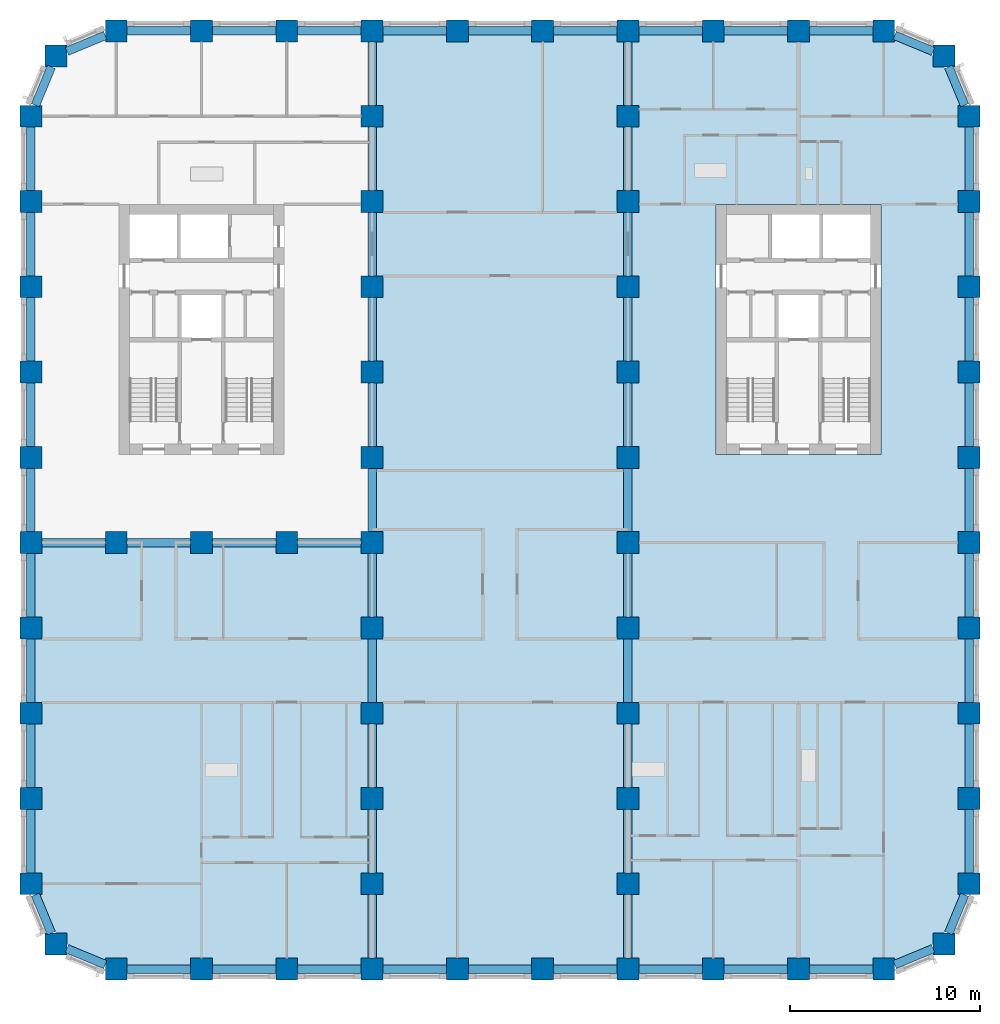
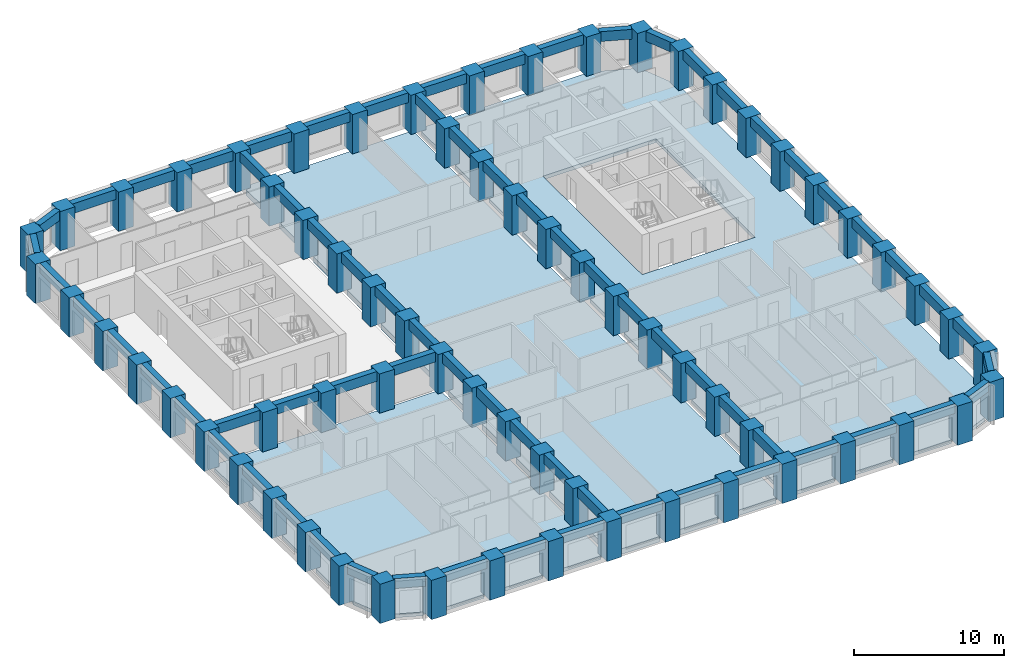
# One storey, part 1 of 12: 70 beams, 67 columns, 3 slabs.
"""IFC4 building model written with IfcOpenShell, lengths in metres."""

from ifc_helpers import new_model, si_unit, direction, frame, origin, origin_2d, place, context, subcontext, project, spatial, polyline, rectangle, outline, extrude, material, layer, layer_set, material_profile, profile_set, type_object, element, save


model = new_model("IFC4")

# Units and contexts
model_context = context("Model", 3, precision=1e-05, world=origin(), true_north=direction((0.0, 1.0)))
body_context = subcontext(model_context, "Body", "Model", "MODEL_VIEW")
ifc_project = project(units=[si_unit("LENGTHUNIT", "METRE"), si_unit("AREAUNIT", "SQUARE_METRE"), si_unit("VOLUMEUNIT", "CUBIC_METRE"), si_unit("PLANEANGLEUNIT", "RADIAN"), si_unit("MASSUNIT", "GRAM", prefix="KILO")], contexts=[model_context])

# Site, building, storey
site_placement = place(None, origin())
site = spatial("IfcSite", under=ifc_project, at=site_placement, CompositionType="ELEMENT")
building_placement = place(site_placement, origin())
building = spatial("IfcBuilding", under=site, at=building_placement, Name="Girih Gate Residences", CompositionType="ELEMENT")
storey_placement = place(building_placement, frame((0.0, 0.0, 112.0)))
storey = spatial("IfcBuildingStorey", under=building, at=storey_placement, Name="L31", CompositionType="ELEMENT", Elevation=112.0)

# Columns
ifc_material_1 = material(Name="Concrete C80/95", Category="concrete")
ifc_material_profile_1 = material_profile(ifc_material_1, rectangle(XDim=1.14990234375, YDim=1.14990234375, at=origin_2d()))
ifc_profile_set_1 = profile_set([ifc_material_profile_1], Name="Concrete C80/95")
column_type = type_object("IfcColumnType", Name="Pier RC 1150x1150 Concrete C80/95", PredefinedType="COLUMN", material=ifc_profile_set_1)
for number, where, z_axis, x_axis, name in (
    (1, (4.5, 0.0, 0.0), (0.0, 0.0, 1.0), (1.0, 0.0, 0.0), "Pier P2A L31"),
    (2, (9.0, 0.0, 0.0), (0.0, 0.0, 1.0), (1.0, 0.0, 0.0), "Pier P3A L31"),
    (3, (13.5, 0.0, 0.0), (0.0, 0.0, 1.0), (1.0, 0.0, 0.0), "Pier P4A L31"),
    (4, (18.0, 0.0, 0.0), (0.0, 0.0, 1.0), (1.0, 0.0, 0.0), "Pier P5A L31"),
    (5, (22.5, 0.0, 0.0), (0.0, 0.0, 1.0), (1.0, 0.0, 0.0), "Pier P6A L31"),
    (6, (27.0, 0.0, 0.0), (0.0, 0.0, 1.0), (1.0, 0.0, 0.0), "Pier P7A L31"),
    (7, (31.5, 0.0, 0.0), (0.0, 0.0, 1.0), (1.0, 0.0, 0.0), "Pier P8A L31"),
    (8, (36.0, 0.0, 0.0), (0.0, 0.0, 1.0), (1.0, 0.0, 0.0), "Pier P9A L31"),
    (9, (40.5, 0.0, 0.0), (0.0, 0.0, 1.0), (1.0, 0.0, 0.0), "Pier P10A L31"),
    (10, (45.0, 0.0, 0.0), (0.0, 0.0, 1.0), (1.0, 0.0, 0.0), "Pier P11A L31"),
    (11, (1.318115234375, 1.318115234375, 0.0), (0.0, 0.0, 1.0), (1.0, 0.0, 0.0), "Pier P1ANE L31"),
    (12, (48.181884765625, 1.318115234375, 0.0), (0.0, 0.0, 1.0), (1.0, 0.0, 0.0), "Pier P12ANW L31"),
    (13, (0.0, 4.5, 0.0), (0.0, 0.0, 1.0), (1.0, 0.0, 0.0), "Pier P1B L31"),
    (14, (18.0, 4.5, 0.0), (0.0, 0.0, 1.0), (1.0, 0.0, 0.0), "Pier P5B L31"),
    (15, (31.5, 4.5, 0.0), (0.0, 0.0, 1.0), (1.0, 0.0, 0.0), "Pier P8B L31"),
    (16, (49.5, 4.5, 0.0), (0.0, 0.0, 1.0), (1.0, 0.0, 0.0), "Pier P12B L31"),
    (17, (0.0, 9.0, 0.0), (0.0, 0.0, 1.0), (1.0, 0.0, 0.0), "Pier P1C L31"),
    (18, (18.0, 9.0, 0.0), (0.0, 0.0, 1.0), (1.0, 0.0, 0.0), "Pier P5C L31"),
    (19, (31.5, 9.0, 0.0), (0.0, 0.0, 1.0), (1.0, 0.0, 0.0), "Pier P8C L31"),
    (20, (49.5, 9.0, 0.0), (0.0, 0.0, 1.0), (1.0, 0.0, 0.0), "Pier P12C L31"),
    (21, (0.0, 13.5, 0.0), (0.0, 0.0, 1.0), (1.0, 0.0, 0.0), "Pier P1D L31"),
    (22, (18.0, 13.5, 0.0), (0.0, 0.0, 1.0), (1.0, 0.0, 0.0), "Pier P5D L31"),
    (23, (31.5, 13.5, 0.0), (0.0, 0.0, 1.0), (1.0, 0.0, 0.0), "Pier P8D L31"),
    (24, (49.5, 13.5, 0.0), (0.0, 0.0, 1.0), (1.0, 0.0, 0.0), "Pier P12D L31"),
    (25, (0.0, 18.0, 0.0), (0.0, 0.0, 1.0), (1.0, 0.0, 0.0), "Pier P1E L31"),
    (26, (18.0, 18.0, 0.0), (0.0, 0.0, 1.0), (1.0, 0.0, 0.0), "Pier P5E L31"),
    (27, (31.5, 18.0, 0.0), (0.0, 0.0, 1.0), (1.0, 0.0, 0.0), "Pier P8E L31"),
    (28, (49.5, 18.0, 0.0), (0.0, 0.0, 1.0), (1.0, 0.0, 0.0), "Pier P12E L31"),
    (29, (0.0, 22.5, 0.0), (0.0, 0.0, 1.0), (1.0, 0.0, 0.0), "Pier P1F L31"),
    (30, (4.5, 22.5, 0.0), (0.0, 0.0, 1.0), (1.0, 0.0, 0.0), "Pier P2F L31"),
    (31, (9.0, 22.5, 0.0), (0.0, 0.0, 1.0), (1.0, 0.0, 0.0), "Pier P3F L31"),
    (32, (13.5, 22.5, 0.0), (0.0, 0.0, 1.0), (1.0, 0.0, 0.0), "Pier P4F L31"),
    (33, (18.0, 22.5, 0.0), (0.0, 0.0, 1.0), (1.0, 0.0, 0.0), "Pier P5F L31"),
    (34, (31.5, 22.5, 0.0), (0.0, 0.0, 1.0), (1.0, 0.0, 0.0), "Pier P8F L31"),
    (35, (49.5, 22.5, 0.0), (0.0, 0.0, 1.0), (1.0, 0.0, 0.0), "Pier P12F L31"),
    (36, (0.0, 27.0, 0.0), (0.0, 0.0, 1.0), (1.0, 0.0, 0.0), "Pier P1G L31"),
    (37, (18.0, 27.0, 0.0), (0.0, 0.0, 1.0), (1.0, 0.0, 0.0), "Pier P5G L31"),
    (38, (31.5, 27.0, 0.0), (0.0, 0.0, 1.0), (1.0, 0.0, 0.0), "Pier P8G L31"),
    (39, (49.5, 27.0, 0.0), (0.0, 0.0, 1.0), (1.0, 0.0, 0.0), "Pier P12G L31"),
    (40, (0.0, 31.5, 0.0), (0.0, 0.0, 1.0), (1.0, 0.0, 0.0), "Pier P1H L31"),
    (41, (18.0, 31.5, 0.0), (0.0, 0.0, 1.0), (1.0, 0.0, 0.0), "Pier P5H L31"),
    (42, (31.5, 31.5, 0.0), (0.0, 0.0, 1.0), (1.0, 0.0, 0.0), "Pier P8H L31"),
    (43, (49.5, 31.5, 0.0), (0.0, 0.0, 1.0), (1.0, 0.0, 0.0), "Pier P12H L31"),
    (44, (0.0, 36.0, 0.0), (0.0, 0.0, 1.0), (1.0, 0.0, 0.0), "Pier P1I L31"),
    (45, (18.0, 36.0, 0.0), (0.0, 0.0, 1.0), (1.0, 0.0, 0.0), "Pier P5I L31"),
    (46, (31.5, 36.0, 0.0), (0.0, 0.0, 1.0), (1.0, 0.0, 0.0), "Pier P8I L31"),
    (47, (49.5, 36.0, 0.0), (0.0, 0.0, 1.0), (1.0, 0.0, 0.0), "Pier P12I L31"),
    (48, (0.0, 40.5, 0.0), (0.0, 0.0, 1.0), (1.0, 0.0, 0.0), "Pier P1J L31"),
    (49, (18.0, 40.5, 0.0), (0.0, 0.0, 1.0), (1.0, 0.0, 0.0), "Pier P5J L31"),
    (50, (31.5, 40.5, 0.0), (0.0, 0.0, 1.0), (1.0, 0.0, 0.0), "Pier P8J L31"),
    (51, (49.5, 40.5, 0.0), (0.0, 0.0, 1.0), (1.0, 0.0, 0.0), "Pier P12J L31"),
    (52, (0.0, 45.0, 0.0), (0.0, 0.0, 1.0), (1.0, 0.0, 0.0), "Pier P1K L31"),
    (53, (18.0, 45.0, 0.0), (0.0, 0.0, 1.0), (1.0, 0.0, 0.0), "Pier P5K L31"),
    (54, (31.5, 45.0, 0.0), (0.0, 0.0, 1.0), (1.0, 0.0, 0.0), "Pier P8K L31"),
    (55, (49.5, 45.0, 0.0), (0.0, 0.0, 1.0), (1.0, 0.0, 0.0), "Pier P12K L31"),
    (56, (1.318115234375, 48.181884765625, 0.0), (0.0, 0.0, 1.0), (1.0, 0.0, 0.0), "Pier P1LSE L31"),
    (57, (48.181884765625, 48.181884765625, 0.0), (0.0, 0.0, 1.0), (1.0, 0.0, 0.0), "Pier P12LSW L31"),
    (58, (4.5, 49.5, 0.0), (0.0, 0.0, 1.0), (1.0, 0.0, 0.0), "Pier P2L L31"),
    (59, (9.0, 49.5, 0.0), (0.0, 0.0, 1.0), (1.0, 0.0, 0.0), "Pier P3L L31"),
    (60, (13.5, 49.5, 0.0), (0.0, 0.0, 1.0), (1.0, 0.0, 0.0), "Pier P4L L31"),
    (61, (18.0, 49.5, 0.0), (0.0, 0.0, 1.0), (1.0, 0.0, 0.0), "Pier P5L L31"),
    (62, (22.5, 49.5, 0.0), (0.0, 0.0, 1.0), (1.0, 0.0, 0.0), "Pier P6L L31"),
    (63, (27.0, 49.5, 0.0), (0.0, 0.0, 1.0), (1.0, 0.0, 0.0), "Pier P7L L31"),
    (64, (31.5, 49.5, 0.0), (0.0, 0.0, 1.0), (1.0, 0.0, 0.0), "Pier P8L L31"),
    (65, (36.0, 49.5, 0.0), (0.0, 0.0, 1.0), (1.0, 0.0, 0.0), "Pier P9L L31"),
    (66, (40.5, 49.5, 0.0), (0.0, 0.0, 1.0), (1.0, 0.0, 0.0), "Pier P10L L31"),
    (67, (45.0, 49.5, 0.0), (0.0, 0.0, 1.0), (1.0, 0.0, 0.0), "Pier P11L L31"),
):
    element("IfcColumn", number, at=place(storey_placement, frame(where, z_axis=z_axis, x_axis=x_axis)), inside=storey, type_object=column_type, Name=name, PredefinedType="COLUMN", context=body_context, shape_type="SweptSolid", body=[
        extrude(rectangle(XDim=1.14990234375, YDim=1.14990234375, at=origin_2d()), origin(), (0.0, 0.0, 1.0), 3.199951171875),
    ])

# Beams
ifc_material_2 = material(Name="Concrete C60/75", Category="concrete")
ifc_material_profile_2 = material_profile(ifc_material_2, rectangle(XDim=0.449951171875, YDim=0.800048828125, at=origin_2d()))
ifc_profile_set_2 = profile_set([ifc_material_profile_2], Name="Concrete C60/75")
beam_type = type_object("IfcBeamType", Name="Spandrel girder RC 450x800 Concrete C60/75", PredefinedType="BEAM", material=ifc_profile_set_2)
for number, where, z_axis, x_axis, name in (
    (68, (0.23828125, 3.925048828125, 2.800048828125), (0.382636106589, -0.92389913407, 0.0), (0.92389913407, 0.382636106589, 0.0), "Spandrel girder SP-P1B-P1ANE L31"),
    (69, (1.89306640625, 1.079833984375, 2.800048828125), (0.92389913407, -0.382636106589, 0.0), (0.382636106589, 0.92389913407, 0.0), "Spandrel girder SP-P1ANE-P2A L31"),
):
    element("IfcBeam", number, at=place(storey_placement, frame(where, z_axis=z_axis, x_axis=x_axis)), inside=storey, type_object=beam_type, Name=name, PredefinedType="BEAM", context=body_context, shape_type="SweptSolid", body=[
        extrude(rectangle(XDim=0.449951171875, YDim=0.800048828125, at=origin_2d()), origin(), (0.0, 0.0, 1.0), 2.199462890625),
    ])
for number, where, z_axis, x_axis, name in (
    (70, (5.074951171875, 0.0, 2.800048828125), (1.0, 0.0, 0.0), (0.0, 1.0, 0.0), "Spandrel girder SP-P2A-P3A L31"),
    (71, (9.574951171875, 0.0, 2.800048828125), (1.0, 0.0, 0.0), (0.0, 1.0, 0.0), "Spandrel girder SP-P3A-P4A L31"),
    (72, (14.074951171875, 0.0, 2.800048828125), (1.0, 0.0, 0.0), (0.0, 1.0, 0.0), "Spandrel girder SP-P4A-P5A L31"),
    (73, (18.574951171875, 0.0, 2.800048828125), (1.0, 0.0, 0.0), (0.0, 1.0, 0.0), "Spandrel girder SP-P5A-P6A L31"),
    (74, (23.074951171875, 0.0, 2.800048828125), (1.0, 0.0, 0.0), (0.0, 1.0, 0.0), "Spandrel girder SP-P6A-P7A L31"),
    (75, (27.574951171875, 0.0, 2.800048828125), (1.0, 0.0, 0.0), (0.0, 1.0, 0.0), "Spandrel girder SP-P7A-P8A L31"),
    (76, (32.074951171875, 0.0, 2.800048828125), (1.0, 0.0, 0.0), (0.0, 1.0, 0.0), "Spandrel girder SP-P8A-P9A L31"),
    (77, (36.574951171875, 0.0, 2.800048828125), (1.0, 0.0, 0.0), (0.0, 1.0, 0.0), "Spandrel girder SP-P9A-P10A L31"),
    (78, (41.074951171875, 0.0, 2.800048828125), (1.0, 0.0, 0.0), (0.0, 1.0, 0.0), "Spandrel girder SP-P10A-P11A L31"),
):
    element("IfcBeam", number, at=place(storey_placement, frame(where, z_axis=z_axis, x_axis=x_axis)), inside=storey, type_object=beam_type, Name=name, PredefinedType="BEAM", context=body_context, shape_type="SweptSolid", body=[
        extrude(rectangle(XDim=0.449951171875, YDim=0.800048828125, at=origin_2d()), origin(), (0.0, 0.0, 1.0), 3.35009765625),
    ])
for number, where, z_axis, x_axis, name in (
    (79, (45.574951171875, 0.23828125, 2.800048828125), (0.92389913407, 0.382636106589, 0.0), (-0.382636106589, 0.92389913407, 0.0), "Spandrel girder SP-P11A-P12ANW L31"),
    (80, (48.420166015625, 1.89306640625, 2.800048828125), (0.382636106589, 0.92389913407, 0.0), (-0.92389913407, 0.382636106589, 0.0), "Spandrel girder SP-P12ANW-P12B L31"),
):
    element("IfcBeam", number, at=place(storey_placement, frame(where, z_axis=z_axis, x_axis=x_axis)), inside=storey, type_object=beam_type, Name=name, PredefinedType="BEAM", context=body_context, shape_type="SweptSolid", body=[
        extrude(rectangle(XDim=0.449951171875, YDim=0.800048828125, at=origin_2d()), origin(), (0.0, 0.0, 1.0), 2.199462890625),
    ])
for number, where, z_axis, x_axis, name in (
    (81, (49.5, 5.074951171875, 2.800048828125), (0.0, 1.0, 0.0), (-1.0, 0.0, 0.0), "Spandrel girder SP-P12B-P12C L31"),
    (82, (49.5, 9.574951171875, 2.800048828125), (0.0, 1.0, 0.0), (-1.0, 0.0, 0.0), "Spandrel girder SP-P12C-P12D L31"),
    (83, (49.5, 14.074951171875, 2.800048828125), (0.0, 1.0, 0.0), (-1.0, 0.0, 0.0), "Spandrel girder SP-P12D-P12E L31"),
    (84, (49.5, 18.574951171875, 2.800048828125), (0.0, 1.0, 0.0), (-1.0, 0.0, 0.0), "Spandrel girder SP-P12E-P12F L31"),
    (85, (49.5, 23.074951171875, 2.800048828125), (0.0, 1.0, 0.0), (-1.0, 0.0, 0.0), "Spandrel girder SP-P12F-P12G L31"),
    (86, (49.5, 27.574951171875, 2.800048828125), (0.0, 1.0, 0.0), (-1.0, 0.0, 0.0), "Spandrel girder SP-P12G-P12H L31"),
    (87, (49.5, 32.074951171875, 2.800048828125), (0.0, 1.0, 0.0), (-1.0, 0.0, 0.0), "Spandrel girder SP-P12H-P12I L31"),
    (88, (49.5, 36.574951171875, 2.800048828125), (0.0, 1.0, 0.0), (-1.0, 0.0, 0.0), "Spandrel girder SP-P12I-P12J L31"),
    (89, (49.5, 41.074951171875, 2.800048828125), (0.0, 1.0, 0.0), (-1.0, 0.0, 0.0), "Spandrel girder SP-P12J-P12K L31"),
):
    element("IfcBeam", number, at=place(storey_placement, frame(where, z_axis=z_axis, x_axis=x_axis)), inside=storey, type_object=beam_type, Name=name, PredefinedType="BEAM", context=body_context, shape_type="SweptSolid", body=[
        extrude(rectangle(XDim=0.449951171875, YDim=0.800048828125, at=origin_2d()), origin(), (0.0, 0.0, 1.0), 3.35009765625),
    ])
for number, where, z_axis, x_axis, name in (
    (90, (49.26171875, 45.574951171875, 2.800048828125), (-0.382636106589, 0.92389913407, 0.0), (-0.92389913407, -0.382636106589, 0.0), "Spandrel girder SP-P12K-P12LSW L31"),
    (91, (47.60693359375, 48.420166015625, 2.800048828125), (-0.92389913407, 0.382636106589, 0.0), (-0.382636106589, -0.92389913407, 0.0), "Spandrel girder SP-P12LSW-P11L L31"),
):
    element("IfcBeam", number, at=place(storey_placement, frame(where, z_axis=z_axis, x_axis=x_axis)), inside=storey, type_object=beam_type, Name=name, PredefinedType="BEAM", context=body_context, shape_type="SweptSolid", body=[
        extrude(rectangle(XDim=0.449951171875, YDim=0.800048828125, at=origin_2d()), origin(), (0.0, 0.0, 1.0), 2.199462890625),
    ])
for number, where, z_axis, x_axis, name in (
    (92, (44.425048828125, 49.5, 2.800048828125), (-1.0, 0.0, 0.0), (0.0, -1.0, 0.0), "Spandrel girder SP-P11L-P10L L31"),
    (93, (39.925048828125, 49.5, 2.800048828125), (-1.0, 0.0, 0.0), (0.0, -1.0, 0.0), "Spandrel girder SP-P10L-P9L L31"),
    (94, (35.425048828125, 49.5, 2.800048828125), (-1.0, 0.0, 0.0), (0.0, -1.0, 0.0), "Spandrel girder SP-P9L-P8L L31"),
    (95, (30.925048828125, 49.5, 2.800048828125), (-1.0, 0.0, 0.0), (0.0, -1.0, 0.0), "Spandrel girder SP-P8L-P7L L31"),
    (96, (26.425048828125, 49.5, 2.800048828125), (-1.0, 0.0, 0.0), (0.0, -1.0, 0.0), "Spandrel girder SP-P7L-P6L L31"),
    (97, (21.925048828125, 49.5, 2.800048828125), (-1.0, 0.0, 0.0), (0.0, -1.0, 0.0), "Spandrel girder SP-P6L-P5L L31"),
    (98, (17.425048828125, 49.5, 2.800048828125), (-1.0, 0.0, 0.0), (0.0, -1.0, 0.0), "Spandrel girder SP-P5L-P4L L31"),
    (99, (12.925048828125, 49.5, 2.800048828125), (-1.0, 0.0, 0.0), (0.0, -1.0, 0.0), "Spandrel girder SP-P4L-P3L L31"),
    (100, (8.425048828125, 49.5, 2.800048828125), (-1.0, 0.0, 0.0), (0.0, -1.0, 0.0), "Spandrel girder SP-P3L-P2L L31"),
):
    element("IfcBeam", number, at=place(storey_placement, frame(where, z_axis=z_axis, x_axis=x_axis)), inside=storey, type_object=beam_type, Name=name, PredefinedType="BEAM", context=body_context, shape_type="SweptSolid", body=[
        extrude(rectangle(XDim=0.449951171875, YDim=0.800048828125, at=origin_2d()), origin(), (0.0, 0.0, 1.0), 3.35009765625),
    ])
for number, where, z_axis, x_axis, name in (
    (101, (3.925048828125, 49.26171875, 2.800048828125), (-0.92389913407, -0.382636106589, 0.0), (0.382636106589, -0.92389913407, 0.0), "Spandrel girder SP-P2L-P1LSE L31"),
    (102, (1.079833984375, 47.60693359375, 2.800048828125), (-0.382636106589, -0.92389913407, 0.0), (0.92389913407, -0.382636106589, 0.0), "Spandrel girder SP-P1LSE-P1K L31"),
):
    element("IfcBeam", number, at=place(storey_placement, frame(where, z_axis=z_axis, x_axis=x_axis)), inside=storey, type_object=beam_type, Name=name, PredefinedType="BEAM", context=body_context, shape_type="SweptSolid", body=[
        extrude(rectangle(XDim=0.449951171875, YDim=0.800048828125, at=origin_2d()), origin(), (0.0, 0.0, 1.0), 2.199462890625),
    ])
for number, where, z_axis, x_axis, name in (
    (103, (0.0, 44.425048828125, 2.800048828125), (0.0, -1.0, 0.0), (1.0, 0.0, 0.0), "Spandrel girder SP-P1K-P1J L31"),
    (104, (0.0, 39.925048828125, 2.800048828125), (0.0, -1.0, 0.0), (1.0, 0.0, 0.0), "Spandrel girder SP-P1J-P1I L31"),
    (105, (0.0, 35.425048828125, 2.800048828125), (0.0, -1.0, 0.0), (1.0, 0.0, 0.0), "Spandrel girder SP-P1I-P1H L31"),
    (106, (0.0, 30.925048828125, 2.800048828125), (0.0, -1.0, 0.0), (1.0, 0.0, 0.0), "Spandrel girder SP-P1H-P1G L31"),
    (107, (0.0, 26.425048828125, 2.800048828125), (0.0, -1.0, 0.0), (1.0, 0.0, 0.0), "Spandrel girder SP-P1G-P1F L31"),
    (108, (0.0, 21.925048828125, 2.800048828125), (0.0, -1.0, 0.0), (1.0, 0.0, 0.0), "Spandrel girder SP-P1F-P1E L31"),
    (109, (0.0, 17.425048828125, 2.800048828125), (0.0, -1.0, 0.0), (1.0, 0.0, 0.0), "Spandrel girder SP-P1E-P1D L31"),
    (110, (0.0, 12.925048828125, 2.800048828125), (0.0, -1.0, 0.0), (1.0, 0.0, 0.0), "Spandrel girder SP-P1D-P1C L31"),
    (111, (0.0, 8.425048828125, 2.800048828125), (0.0, -1.0, 0.0), (1.0, 0.0, 0.0), "Spandrel girder SP-P1C-P1B L31"),
    (112, (18.0, 0.574951171875, 2.800048828125), (0.0, 1.0, 0.0), (-1.0, 0.0, 0.0), "Spandrel girder SP-P5A-P5B L31"),
    (113, (18.0, 5.074951171875, 2.800048828125), (0.0, 1.0, 0.0), (-1.0, 0.0, 0.0), "Spandrel girder SP-P5B-P5C L31"),
    (114, (18.0, 9.574951171875, 2.800048828125), (0.0, 1.0, 0.0), (-1.0, 0.0, 0.0), "Spandrel girder SP-P5C-P5D L31"),
    (115, (18.0, 14.074951171875, 2.800048828125), (0.0, 1.0, 0.0), (-1.0, 0.0, 0.0), "Spandrel girder SP-P5D-P5E L31"),
    (116, (18.0, 18.574951171875, 2.800048828125), (0.0, 1.0, 0.0), (-1.0, 0.0, 0.0), "Spandrel girder SP-P5E-P5F L31"),
    (117, (18.0, 23.074951171875, 2.800048828125), (0.0, 1.0, 0.0), (-1.0, 0.0, 0.0), "Spandrel girder SP-P5F-P5G L31"),
    (118, (18.0, 27.574951171875, 2.800048828125), (0.0, 1.0, 0.0), (-1.0, 0.0, 0.0), "Spandrel girder SP-P5G-P5H L31"),
    (119, (18.0, 32.074951171875, 2.800048828125), (0.0, 1.0, 0.0), (-1.0, 0.0, 0.0), "Spandrel girder SP-P5H-P5I L31"),
    (120, (18.0, 36.574951171875, 2.800048828125), (0.0, 1.0, 0.0), (-1.0, 0.0, 0.0), "Spandrel girder SP-P5I-P5J L31"),
    (121, (18.0, 41.074951171875, 2.800048828125), (0.0, 1.0, 0.0), (-1.0, 0.0, 0.0), "Spandrel girder SP-P5J-P5K L31"),
    (122, (18.0, 45.574951171875, 2.800048828125), (0.0, 1.0, 0.0), (-1.0, 0.0, 0.0), "Spandrel girder SP-P5K-P5L L31"),
    (123, (31.5, 0.574951171875, 2.800048828125), (0.0, 1.0, 0.0), (-1.0, 0.0, 0.0), "Spandrel girder SP-P8A-P8B L31"),
    (124, (31.5, 5.074951171875, 2.800048828125), (0.0, 1.0, 0.0), (-1.0, 0.0, 0.0), "Spandrel girder SP-P8B-P8C L31"),
    (125, (31.5, 9.574951171875, 2.800048828125), (0.0, 1.0, 0.0), (-1.0, 0.0, 0.0), "Spandrel girder SP-P8C-P8D L31"),
    (126, (31.5, 14.074951171875, 2.800048828125), (0.0, 1.0, 0.0), (-1.0, 0.0, 0.0), "Spandrel girder SP-P8D-P8E L31"),
    (127, (31.5, 18.574951171875, 2.800048828125), (0.0, 1.0, 0.0), (-1.0, 0.0, 0.0), "Spandrel girder SP-P8E-P8F L31"),
    (128, (31.5, 23.074951171875, 2.800048828125), (0.0, 1.0, 0.0), (-1.0, 0.0, 0.0), "Spandrel girder SP-P8F-P8G L31"),
    (129, (31.5, 27.574951171875, 2.800048828125), (0.0, 1.0, 0.0), (-1.0, 0.0, 0.0), "Spandrel girder SP-P8G-P8H L31"),
    (130, (31.5, 32.074951171875, 2.800048828125), (0.0, 1.0, 0.0), (-1.0, 0.0, 0.0), "Spandrel girder SP-P8H-P8I L31"),
    (131, (31.5, 36.574951171875, 2.800048828125), (0.0, 1.0, 0.0), (-1.0, 0.0, 0.0), "Spandrel girder SP-P8I-P8J L31"),
    (132, (31.5, 41.074951171875, 2.800048828125), (0.0, 1.0, 0.0), (-1.0, 0.0, 0.0), "Spandrel girder SP-P8J-P8K L31"),
    (133, (31.5, 45.574951171875, 2.800048828125), (0.0, 1.0, 0.0), (-1.0, 0.0, 0.0), "Spandrel girder SP-P8K-P8L L31"),
    (134, (0.574951171875, 22.5, 2.800048828125), (1.0, 0.0, 0.0), (0.0, 1.0, 0.0), "Spandrel girder SP-P1F-P2F L31"),
    (135, (5.074951171875, 22.5, 2.800048828125), (1.0, 0.0, 0.0), (0.0, 1.0, 0.0), "Spandrel girder SP-P2F-P3F L31"),
    (136, (9.574951171875, 22.5, 2.800048828125), (1.0, 0.0, 0.0), (0.0, 1.0, 0.0), "Spandrel girder SP-P3F-P4F L31"),
    (137, (14.074951171875, 22.5, 2.800048828125), (1.0, 0.0, 0.0), (0.0, 1.0, 0.0), "Spandrel girder SP-P4F-P5F L31"),
):
    element("IfcBeam", number, at=place(storey_placement, frame(where, z_axis=z_axis, x_axis=x_axis)), inside=storey, type_object=beam_type, Name=name, PredefinedType="BEAM", context=body_context, shape_type="SweptSolid", body=[
        extrude(rectangle(XDim=0.449951171875, YDim=0.800048828125, at=origin_2d()), origin(), (0.0, 0.0, 1.0), 3.35009765625),
    ])

# Slabs
ifc_material_3 = material(Name="Concrete C40/50", Category="concrete")
ifc_layer_1 = layer(ifc_material_3, 0.300048828125)
ifc_layer_set_1 = layer_set([ifc_layer_1], Name="Floor slab PT 300 Concrete C40/50")
slab_type_1 = type_object("IfcSlabType", Name="Floor slab PT 300 Concrete C40/50", PredefinedType="FLOOR", material=ifc_layer_set_1)
slab_1_placement = place(storey_placement, frame((0.0, 0.0, -0.300048828125)))
element("IfcSlab", 138, at=slab_1_placement, inside=storey, type_object=slab_type_1, Name="Floor slab L31 0", PredefinedType="FLOOR", context=body_context, shape_type="SweptSolid", body=[
    extrude(outline(polyline([(0.22509765625, 8.425048828125), (0.22509765625, 5.074951171875), (0.574951171875, 5.074951171875), (0.574951171875, 3.925048828125), (0.481689453125, 3.925048828125), (1.323486328125, 1.89306640625), (1.89306640625, 1.89306640625), (1.89306640625, 1.323486328125), (3.925048828125, 0.481689453125), (3.925048828125, 0.574951171875), (5.074951171875, 0.574951171875), (5.074951171875, 0.22509765625), (8.425048828125, 0.22509765625), (8.425048828125, 0.574951171875), (9.574951171875, 0.574951171875), (9.574951171875, 0.22509765625), (12.925048828125, 0.22509765625), (12.925048828125, 0.574951171875), (14.074951171875, 0.574951171875), (14.074951171875, 0.22509765625), (17.425048828125, 0.22509765625), (17.425048828125, 0.574951171875), (17.77490234375, 0.574951171875), (17.77490234375, 3.925048828125), (17.425048828125, 3.925048828125), (17.425048828125, 5.074951171875), (17.77490234375, 5.074951171875), (17.77490234375, 8.425048828125), (17.425048828125, 8.425048828125), (17.425048828125, 9.574951171875), (17.77490234375, 9.574951171875), (17.77490234375, 12.925048828125), (17.425048828125, 12.925048828125), (17.425048828125, 14.074951171875), (17.77490234375, 14.074951171875), (17.77490234375, 17.425048828125), (17.425048828125, 17.425048828125), (17.425048828125, 18.574951171875), (17.77490234375, 18.574951171875), (17.77490234375, 21.925048828125), (17.425048828125, 21.925048828125), (17.425048828125, 22.27490234375), (14.074951171875, 22.27490234375), (14.074951171875, 21.925048828125), (12.925048828125, 21.925048828125), (12.925048828125, 22.27490234375), (9.574951171875, 22.27490234375), (9.574951171875, 21.925048828125), (8.425048828125, 21.925048828125), (8.425048828125, 22.27490234375), (5.074951171875, 22.27490234375), (5.074951171875, 21.925048828125), (3.925048828125, 21.925048828125), (3.925048828125, 22.27490234375), (0.574951171875, 22.27490234375), (0.574951171875, 21.925048828125), (0.22509765625, 21.925048828125), (0.22509765625, 18.574951171875), (0.574951171875, 18.574951171875), (0.574951171875, 17.425048828125), (0.22509765625, 17.425048828125), (0.22509765625, 14.074951171875), (0.574951171875, 14.074951171875), (0.574951171875, 12.925048828125), (0.22509765625, 12.925048828125), (0.22509765625, 9.574951171875), (0.574951171875, 9.574951171875), (0.574951171875, 8.425048828125), (0.22509765625, 8.425048828125)])), origin(), (0.0, 0.0, 1.0), 0.300048828125),
])
slab_2_placement = place(storey_placement, frame((0.0, 0.0, -0.300048828125)))
element("IfcSlab", 139, at=slab_2_placement, inside=storey, type_object=slab_type_1, Name="Floor slab L31 1", PredefinedType="FLOOR", context=body_context, shape_type="SweptSolid", body=[
    extrude(outline(polyline([(35.425048828125, 49.27490234375), (32.074951171875, 49.27490234375), (32.074951171875, 48.925048828125), (31.72509765625, 48.925048828125), (31.72509765625, 45.574951171875), (32.074951171875, 45.574951171875), (32.074951171875, 44.425048828125), (31.72509765625, 44.425048828125), (31.72509765625, 41.074951171875), (32.074951171875, 41.074951171875), (32.074951171875, 39.925048828125), (31.72509765625, 39.925048828125), (31.72509765625, 36.574951171875), (32.074951171875, 36.574951171875), (32.074951171875, 35.425048828125), (31.72509765625, 35.425048828125), (31.72509765625, 32.074951171875), (32.074951171875, 32.074951171875), (32.074951171875, 30.925048828125), (31.72509765625, 30.925048828125), (31.72509765625, 27.574951171875), (32.074951171875, 27.574951171875), (32.074951171875, 26.425048828125), (31.72509765625, 26.425048828125), (31.72509765625, 23.074951171875), (32.074951171875, 23.074951171875), (32.074951171875, 21.925048828125), (31.72509765625, 21.925048828125), (31.72509765625, 18.574951171875), (32.074951171875, 18.574951171875), (32.074951171875, 17.425048828125), (31.72509765625, 17.425048828125), (31.72509765625, 14.074951171875), (32.074951171875, 14.074951171875), (32.074951171875, 12.925048828125), (31.72509765625, 12.925048828125), (31.72509765625, 9.574951171875), (32.074951171875, 9.574951171875), (32.074951171875, 8.425048828125), (31.72509765625, 8.425048828125), (31.72509765625, 5.074951171875), (32.074951171875, 5.074951171875), (32.074951171875, 3.925048828125), (31.72509765625, 3.925048828125), (31.72509765625, 0.574951171875), (32.074951171875, 0.574951171875), (32.074951171875, 0.22509765625), (35.425048828125, 0.22509765625), (35.425048828125, 0.574951171875), (36.574951171875, 0.574951171875), (36.574951171875, 0.22509765625), (39.925048828125, 0.22509765625), (39.925048828125, 0.574951171875), (41.074951171875, 0.574951171875), (41.074951171875, 0.22509765625), (44.425048828125, 0.22509765625), (44.425048828125, 0.574951171875), (45.574951171875, 0.574951171875), (45.574951171875, 0.481689453125), (47.60693359375, 1.323486328125), (47.60693359375, 1.89306640625), (48.176513671875, 1.89306640625), (49.018310546875, 3.925048828125), (48.925048828125, 3.925048828125), (48.925048828125, 5.074951171875), (49.27490234375, 5.074951171875), (49.27490234375, 8.425048828125), (48.925048828125, 8.425048828125), (48.925048828125, 9.574951171875), (49.27490234375, 9.574951171875), (49.27490234375, 12.925048828125), (48.925048828125, 12.925048828125), (48.925048828125, 14.074951171875), (49.27490234375, 14.074951171875), (49.27490234375, 17.425048828125), (48.925048828125, 17.425048828125), (48.925048828125, 18.574951171875), (49.27490234375, 18.574951171875), (49.27490234375, 21.925048828125), (48.925048828125, 21.925048828125), (48.925048828125, 23.074951171875), (49.27490234375, 23.074951171875), (49.27490234375, 26.425048828125), (48.925048828125, 26.425048828125), (48.925048828125, 27.574951171875), (49.27490234375, 27.574951171875), (49.27490234375, 30.925048828125), (48.925048828125, 30.925048828125), (48.925048828125, 32.074951171875), (49.27490234375, 32.074951171875), (49.27490234375, 35.425048828125), (48.925048828125, 35.425048828125), (48.925048828125, 36.574951171875), (49.27490234375, 36.574951171875), (49.27490234375, 39.925048828125), (48.925048828125, 39.925048828125), (48.925048828125, 41.074951171875), (49.27490234375, 41.074951171875), (49.27490234375, 44.425048828125), (48.925048828125, 44.425048828125), (48.925048828125, 45.574951171875), (49.018310546875, 45.574951171875), (48.176513671875, 47.60693359375), (47.60693359375, 47.60693359375), (47.60693359375, 48.176513671875), (45.574951171875, 49.018310546875), (45.574951171875, 48.925048828125), (44.425048828125, 48.925048828125), (44.425048828125, 49.27490234375), (41.074951171875, 49.27490234375), (41.074951171875, 48.925048828125), (39.925048828125, 48.925048828125), (39.925048828125, 49.27490234375), (36.574951171875, 49.27490234375), (36.574951171875, 48.925048828125), (35.425048828125, 48.925048828125), (35.425048828125, 49.27490234375)]), holes=[polyline([(44.85009765625, 40.35009765625), (44.85009765625, 27.14990234375), (36.14990234375, 27.14990234375), (36.14990234375, 40.35009765625), (44.85009765625, 40.35009765625)])]), origin(), (0.0, 0.0, 1.0), 0.300048828125),
])
ifc_layer_2 = layer(ifc_material_3, 0.449951171875)
ifc_layer_set_2 = layer_set([ifc_layer_2], Name="Floor slab PT 450 Concrete C40/50")
slab_type_2 = type_object("IfcSlabType", Name="Floor slab PT 450 Concrete C40/50", PredefinedType="FLOOR", material=ifc_layer_set_2)
slab_3_placement = place(storey_placement, frame((0.0, 0.0, -0.449951171875)))
element("IfcSlab", 140, at=slab_3_placement, inside=storey, type_object=slab_type_2, Name="Floor slab L31 2", PredefinedType="FLOOR", context=body_context, shape_type="SweptSolid", body=[
    extrude(outline(polyline([(21.925048828125, 49.27490234375), (18.574951171875, 49.27490234375), (18.574951171875, 48.925048828125), (18.22509765625, 48.925048828125), (18.22509765625, 45.574951171875), (18.574951171875, 45.574951171875), (18.574951171875, 44.425048828125), (18.22509765625, 44.425048828125), (18.22509765625, 41.074951171875), (18.574951171875, 41.074951171875), (18.574951171875, 39.925048828125), (18.22509765625, 39.925048828125), (18.22509765625, 36.574951171875), (18.574951171875, 36.574951171875), (18.574951171875, 35.425048828125), (18.22509765625, 35.425048828125), (18.22509765625, 32.074951171875), (18.574951171875, 32.074951171875), (18.574951171875, 30.925048828125), (18.22509765625, 30.925048828125), (18.22509765625, 27.574951171875), (18.574951171875, 27.574951171875), (18.574951171875, 26.425048828125), (18.22509765625, 26.425048828125), (18.22509765625, 23.074951171875), (18.574951171875, 23.074951171875), (18.574951171875, 21.925048828125), (18.22509765625, 21.925048828125), (18.22509765625, 18.574951171875), (18.574951171875, 18.574951171875), (18.574951171875, 17.425048828125), (18.22509765625, 17.425048828125), (18.22509765625, 14.074951171875), (18.574951171875, 14.074951171875), (18.574951171875, 12.925048828125), (18.22509765625, 12.925048828125), (18.22509765625, 9.574951171875), (18.574951171875, 9.574951171875), (18.574951171875, 8.425048828125), (18.22509765625, 8.425048828125), (18.22509765625, 5.074951171875), (18.574951171875, 5.074951171875), (18.574951171875, 3.925048828125), (18.22509765625, 3.925048828125), (18.22509765625, 0.574951171875), (18.574951171875, 0.574951171875), (18.574951171875, 0.22509765625), (21.925048828125, 0.22509765625), (21.925048828125, 0.574951171875), (23.074951171875, 0.574951171875), (23.074951171875, 0.22509765625), (26.425048828125, 0.22509765625), (26.425048828125, 0.574951171875), (27.574951171875, 0.574951171875), (27.574951171875, 0.22509765625), (30.925048828125, 0.22509765625), (30.925048828125, 0.574951171875), (31.27490234375, 0.574951171875), (31.27490234375, 3.925048828125), (30.925048828125, 3.925048828125), (30.925048828125, 5.074951171875), (31.27490234375, 5.074951171875), (31.27490234375, 8.425048828125), (30.925048828125, 8.425048828125), (30.925048828125, 9.574951171875), (31.27490234375, 9.574951171875), (31.27490234375, 12.925048828125), (30.925048828125, 12.925048828125), (30.925048828125, 14.074951171875), (31.27490234375, 14.074951171875), (31.27490234375, 17.425048828125), (30.925048828125, 17.425048828125), (30.925048828125, 18.574951171875), (31.27490234375, 18.574951171875), (31.27490234375, 21.925048828125), (30.925048828125, 21.925048828125), (30.925048828125, 23.074951171875), (31.27490234375, 23.074951171875), (31.27490234375, 26.425048828125), (30.925048828125, 26.425048828125), (30.925048828125, 27.574951171875), (31.27490234375, 27.574951171875), (31.27490234375, 30.925048828125), (30.925048828125, 30.925048828125), (30.925048828125, 32.074951171875), (31.27490234375, 32.074951171875), (31.27490234375, 35.425048828125), (30.925048828125, 35.425048828125), (30.925048828125, 36.574951171875), (31.27490234375, 36.574951171875), (31.27490234375, 39.925048828125), (30.925048828125, 39.925048828125), (30.925048828125, 41.074951171875), (31.27490234375, 41.074951171875), (31.27490234375, 44.425048828125), (30.925048828125, 44.425048828125), (30.925048828125, 45.574951171875), (31.27490234375, 45.574951171875), (31.27490234375, 48.925048828125), (30.925048828125, 48.925048828125), (30.925048828125, 49.27490234375), (27.574951171875, 49.27490234375), (27.574951171875, 48.925048828125), (26.425048828125, 48.925048828125), (26.425048828125, 49.27490234375), (23.074951171875, 49.27490234375), (23.074951171875, 48.925048828125), (21.925048828125, 48.925048828125), (21.925048828125, 49.27490234375)])), origin(), (0.0, 0.0, 1.0), 0.449951171875),
])

save(model, "model.ifc")
